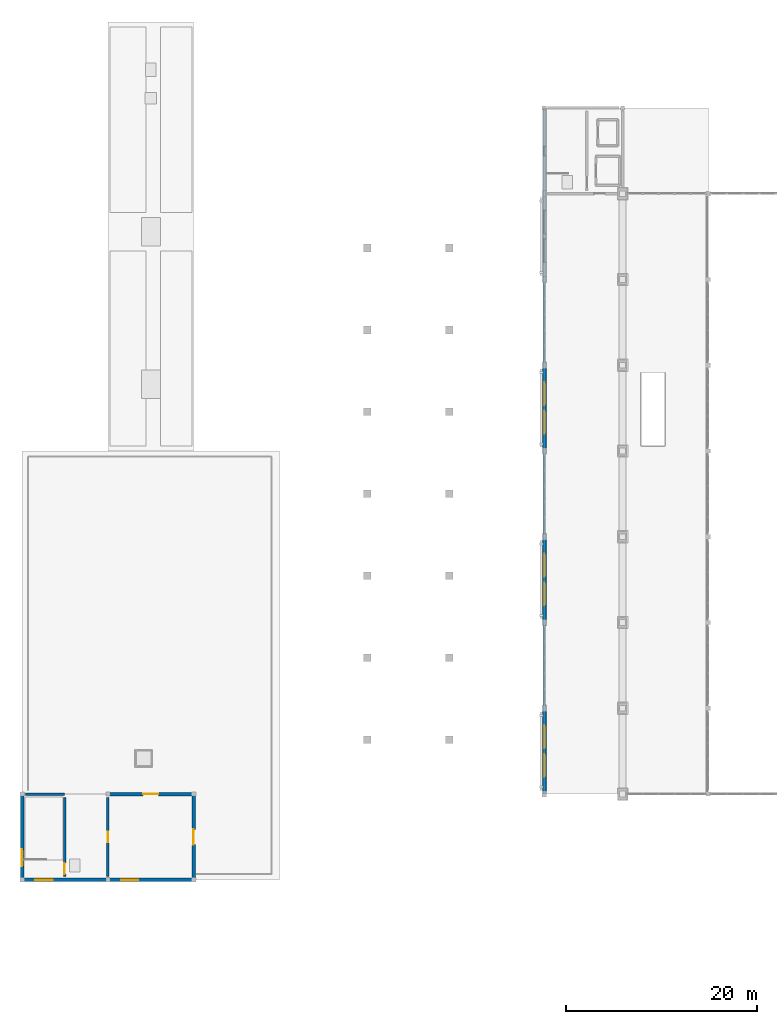
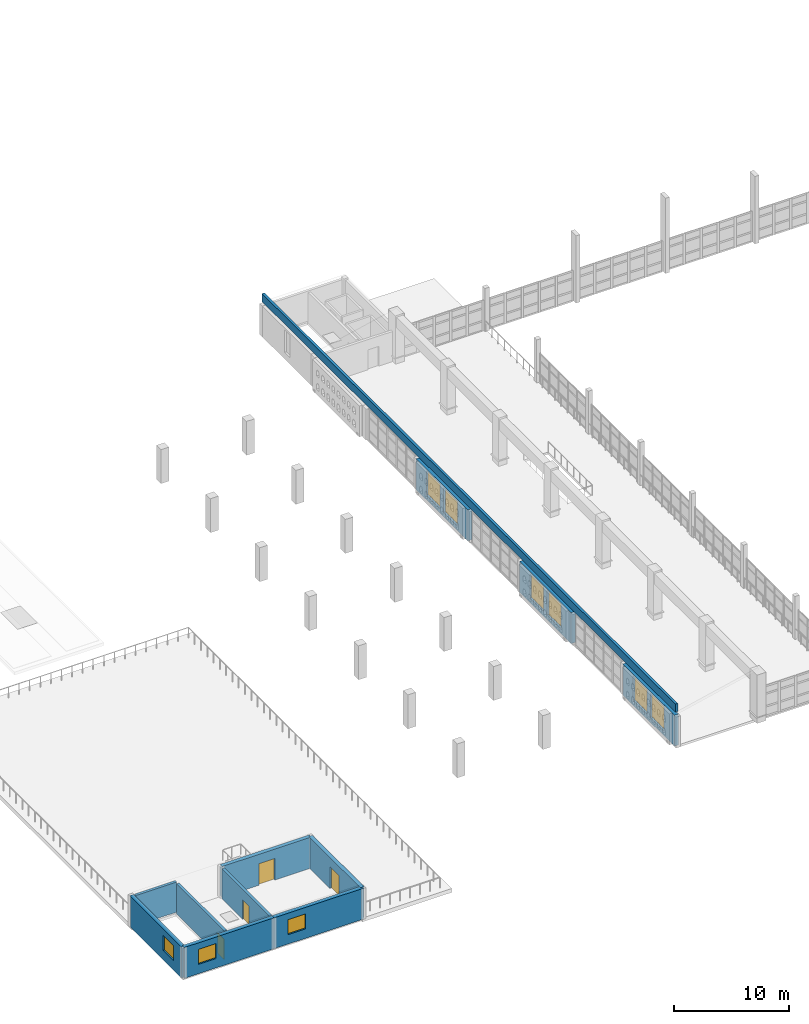
# One storey, part 65 of 80: 12 walls, 9 windows, 4 doors, 13 openings.
"""IFC4 building model written with IfcOpenShell, lengths in metres."""

from ifc_helpers import new_model, si_unit, direction, frame, frame_2d, origin, place, context, subcontext, project, spatial, rectangle, extrude, material, layer, layer_set, type_object, element, fill, save


model = new_model("IFC4")

# Units and contexts
model_context = context("Model", 3, precision=1e-05, world=origin(), true_north=direction((0.0, 1.0)))
body_context = subcontext(model_context, "Body", "Model", "MODEL_VIEW")
ifc_project = project(units=[si_unit("LENGTHUNIT", "METRE"), si_unit("AREAUNIT", "SQUARE_METRE"), si_unit("VOLUMEUNIT", "CUBIC_METRE"), si_unit("PLANEANGLEUNIT", "RADIAN"), si_unit("MASSUNIT", "GRAM", prefix="KILO")], contexts=[model_context])

# Site, building, storey
site_placement = place(None, origin())
site = spatial("IfcSite", under=ifc_project, at=site_placement, CompositionType="ELEMENT")
building_placement = place(site_placement, origin())
building = spatial("IfcBuilding", under=site, at=building_placement, Name="Ornek Quay Market", CompositionType="ELEMENT")
storey_placement = place(building_placement, frame((0.0, 0.0, 8.39990234375)))
storey = spatial("IfcBuildingStorey", under=building, at=storey_placement, Name="L02", CompositionType="ELEMENT", Elevation=8.39990234375)

# Wall, opening, door
ifc_material_1 = material(Name="Concrete C40/50", Category="concrete")
ifc_layer_1 = layer(ifc_material_1, 0.260009765625, Name="Concrete C40/50", Category="concrete")
ifc_layer_set_1 = layer_set([ifc_layer_1], Name="Concrete C40/50")
wall_type_1 = type_object("IfcWallType", Name="WL-CORE-260", PredefinedType="SHEAR", material=ifc_layer_set_1)
wall_1_placement = place(storey_placement, frame((4.449951171875, 20.35009765625, 0.0), z_axis=(0.0, 0.0, 1.0), x_axis=(0.0, 1.0, 0.0)))
wall_1 = element("IfcWall", 1, at=wall_1_placement, inside=storey, type_object=wall_type_1, Name="Interior wall W-CORE2-023", PredefinedType="SHEAR", context=body_context, shape_type="SweptSolid", body=[
    extrude(rectangle(XDim=8.2998046875, YDim=0.260009765625, at=frame_2d((4.14990234375, 0.0))), origin(), (0.0, 0.0, 1.0), 3.2001953125),
])
opening_1_placement = place(wall_1_placement, frame((0.25, 0.0, 0.0)))
opening_1 = element("IfcOpeningElement", 2, at=opening_1_placement, cuts=wall_1, Name="Opening FD-03-011", PredefinedType="OPENING", context=body_context, shape_type="SweptSolid", body=[
    extrude(rectangle(XDim=1.14990234375, YDim=2.14990234375, at=frame_2d((0.574951171875, 1.074951171875))), frame((0.0, 0.139892578125, 0.0), z_axis=(0.0, -1.0, 0.0), x_axis=(1.0, 0.0, 0.0)), (0.0, 0.0, 1.0), 0.280029296875),
])
ifc_material_2 = material(Name="Insulated fire-rated painted steel", Category="steel")
door_type_1 = type_object("IfcDoorType", Name="DR-FIRE-STAIR-1150x2150", OperationType="NOTDEFINED", PredefinedType="DOOR", material=ifc_material_2)
door_1_placement = place(opening_1_placement, origin())
door_1 = element("IfcDoor", 3, at=door_1_placement, inside=storey, type_object=door_type_1, Name="Interior door FD-03-011", OperationType="SINGLE_SWING_RIGHT", OverallHeight=2.14990234375, OverallWidth=1.14990234375, PredefinedType="DOOR", context=body_context, shape_type="SweptSolid", body=[
    extrude(rectangle(XDim=1.14990234375, YDim=2.14990234375, at=frame_2d((0.574951171875, 1.074951171875))), frame((0.0, 0.02490234375, 0.0), z_axis=(0.0, -1.0, 0.0), x_axis=(1.0, 0.0, 0.0)), (0.0, 0.0, 1.0), 0.050048828125),
])
fill(opening_1, door_1)

wall_2_placement = place(storey_placement, frame((9.0, 20.35009765625, 0.0), z_axis=(0.0, 0.0, 1.0), x_axis=(0.0, 1.0, 0.0)))
wall_2 = element("IfcWall", 4, at=wall_2_placement, inside=storey, type_object=wall_type_1, Name="Interior wall W-CORE2-024", PredefinedType="SHEAR", context=body_context, shape_type="SweptSolid", body=[
    extrude(rectangle(XDim=8.2998046875, YDim=0.260009765625, at=frame_2d((4.14990234375, 0.0))), origin(), (0.0, 0.0, 1.0), 3.2001953125),
])
opening_2_placement = place(wall_2_placement, frame((3.60009765625, 0.0, 0.0)))
opening_2 = element("IfcOpeningElement", 5, at=opening_2_placement, cuts=wall_2, Name="Opening FD-04-012", PredefinedType="OPENING", context=body_context, shape_type="SweptSolid", body=[
    extrude(rectangle(XDim=1.10009765625, YDim=2.10009765625, at=frame_2d((0.550048828125, 1.050048828125))), frame((0.0, 0.139892578125, 0.0), z_axis=(0.0, -1.0, 0.0), x_axis=(1.0, 0.0, 0.0)), (0.0, 0.0, 1.0), 0.280029296875),
])
door_type_2 = type_object("IfcDoorType", Name="DR-FIRE-LOBBY-1100x2100", OperationType="NOTDEFINED", PredefinedType="DOOR", material=ifc_material_2)
door_2_placement = place(opening_2_placement, origin())
door_2 = element("IfcDoor", 6, at=door_2_placement, inside=storey, type_object=door_type_2, Name="Interior door FD-04-012", OperationType="SINGLE_SWING_LEFT", OverallHeight=2.10009765625, OverallWidth=1.10009765625, PredefinedType="DOOR", context=body_context, shape_type="SweptSolid", body=[
    extrude(rectangle(XDim=1.10009765625, YDim=2.10009765625, at=frame_2d((0.550048828125, 1.050048828125))), frame((0.0, 0.02490234375, 0.0), z_axis=(0.0, -1.0, 0.0), x_axis=(1.0, 0.0, 0.0)), (0.0, 0.0, 1.0), 0.050048828125),
])
fill(opening_2, door_2)

# Wall
wall_3_placement = place(storey_placement, frame((0.35009765625, 29.0, 0.0), z_axis=(0.0, 0.0, 1.0), x_axis=(1.0, 0.0, 0.0)))
element("IfcWall", 7, at=wall_3_placement, inside=storey, type_object=wall_type_1, Name="Interior wall W-CORE2-025", PredefinedType="SHEAR", context=body_context, shape_type="SweptSolid", body=[
    extrude(rectangle(XDim=4.099853515625, YDim=0.260009765625, at=frame_2d((2.0498046875, 0.0))), origin(), (0.0, 0.0, 1.0), 3.2001953125),
])

# Wall, openings, windows
ifc_material_3 = material(Name="Frost-resistant facing clay brick M200 F100", Category="masonry")
ifc_layer_2 = layer(ifc_material_3, 0.419921875, Name="Frost-resistant facing clay brick M200 F100", Category="masonry")
ifc_layer_set_2 = layer_set([ifc_layer_2], Name="Frost-resistant facing clay brick M200 F100")
wall_type_2 = type_object("IfcWallType", Name="WL-EXT-HALL-420", PredefinedType="STANDARD", material=ifc_layer_set_2)
wall_4_placement = place(storey_placement, frame((54.800048828125, 29.0, 0.0), z_axis=(0.0, 0.0, 1.0), x_axis=(0.0, 1.0, 0.0)))
wall_4 = element("IfcWall", 8, at=wall_4_placement, inside=storey, type_object=wall_type_2, Name="Exterior wall EW-141", PredefinedType="STANDARD", context=body_context, shape_type="SweptSolid", body=[
    extrude(rectangle(XDim=9.0, YDim=0.419921875, at=frame_2d((4.5, 0.0))), origin(), (0.0, 0.0, 1.0), 3.2900390625),
])
opening_3_placement = place(wall_4_placement, frame((1.800048828125, 0.0, 0.510009765625)))
opening_3 = element("IfcOpeningElement", 9, at=opening_3_placement, cuts=wall_4, Name="Opening W-01-112", PredefinedType="OPENING", context=body_context, shape_type="SweptSolid", body=[
    extrude(rectangle(XDim=2.39990234375, YDim=2.60009765625, at=frame_2d((1.199951171875, 1.300048828125))), frame((0.0, 0.219970703125, 0.0), z_axis=(0.0, -1.0, 0.0), x_axis=(1.0, 0.0, 0.0)), (0.0, 0.0, 1.0), 0.43994140625),
])
opening_4_placement = place(wall_4_placement, frame((4.800048828125, 0.0, 0.510009765625)))
opening_4 = element("IfcOpeningElement", 10, at=opening_4_placement, cuts=wall_4, Name="Opening W-01-113", PredefinedType="OPENING", context=body_context, shape_type="SweptSolid", body=[
    extrude(rectangle(XDim=2.39990234375, YDim=2.60009765625, at=frame_2d((1.199951171875, 1.300048828125))), frame((0.0, 0.219970703125, 0.0), z_axis=(0.0, -1.0, 0.0), x_axis=(1.0, 0.0, 0.0)), (0.0, 0.0, 1.0), 0.43994140625),
])
ifc_material_4 = material(Name="Thermally broken bronze aluminium and triple low-e glass", Category="aluminium")
window_type_1 = type_object("IfcWindowType", Name="WN-HALL-2400x2600", PartitioningType="DOUBLE_PANEL_VERTICAL", PredefinedType="WINDOW", material=ifc_material_4)
window_1_placement = place(opening_3_placement, origin())
window_1 = element("IfcWindow", 11, at=window_1_placement, inside=storey, type_object=window_type_1, Name="Window W-01-112", OverallHeight=2.60009765625, OverallWidth=2.39990234375, PartitioningType="SINGLE_PANEL", PredefinedType="WINDOW", context=body_context, shape_type="SweptSolid", body=[
    extrude(rectangle(XDim=2.39990234375, YDim=2.60009765625, at=frame_2d((1.199951171875, 1.300048828125))), frame((0.0, 0.030029296875, 0.0), z_axis=(0.0, -1.0, 0.0), x_axis=(1.0, 0.0, 0.0)), (0.0, 0.0, 1.0), 0.06005859375),
])
fill(opening_3, window_1)
window_2_placement = place(opening_4_placement, origin())
window_2 = element("IfcWindow", 12, at=window_2_placement, inside=storey, type_object=window_type_1, Name="Window W-01-113", OverallHeight=2.60009765625, OverallWidth=2.39990234375, PartitioningType="SINGLE_PANEL", PredefinedType="WINDOW", context=body_context, shape_type="SweptSolid", body=[
    extrude(rectangle(XDim=2.39990234375, YDim=2.60009765625, at=frame_2d((1.199951171875, 1.300048828125))), frame((0.0, 0.030029296875, 0.0), z_axis=(0.0, -1.0, 0.0), x_axis=(1.0, 0.0, 0.0)), (0.0, 0.0, 1.0), 0.06005859375),
])
fill(opening_4, window_2)

wall_5_placement = place(storey_placement, frame((54.800048828125, 47.0, 0.0), z_axis=(0.0, 0.0, 1.0), x_axis=(0.0, 1.0, 0.0)))
wall_5 = element("IfcWall", 13, at=wall_5_placement, inside=storey, type_object=wall_type_2, Name="Exterior wall EW-142", PredefinedType="STANDARD", context=body_context, shape_type="SweptSolid", body=[
    extrude(rectangle(XDim=9.0, YDim=0.419921875, at=frame_2d((4.5, 0.0))), origin(), (0.0, 0.0, 1.0), 3.2900390625),
])
opening_5_placement = place(wall_5_placement, frame((1.800048828125, 0.0, 0.510009765625)))
opening_5 = element("IfcOpeningElement", 14, at=opening_5_placement, cuts=wall_5, Name="Opening W-01-114", PredefinedType="OPENING", context=body_context, shape_type="SweptSolid", body=[
    extrude(rectangle(XDim=2.39990234375, YDim=2.60009765625, at=frame_2d((1.199951171875, 1.300048828125))), frame((0.0, 0.219970703125, 0.0), z_axis=(0.0, -1.0, 0.0), x_axis=(1.0, 0.0, 0.0)), (0.0, 0.0, 1.0), 0.43994140625),
])
opening_6_placement = place(wall_5_placement, frame((4.800048828125, 0.0, 0.510009765625)))
opening_6 = element("IfcOpeningElement", 15, at=opening_6_placement, cuts=wall_5, Name="Opening W-01-115", PredefinedType="OPENING", context=body_context, shape_type="SweptSolid", body=[
    extrude(rectangle(XDim=2.39990234375, YDim=2.60009765625, at=frame_2d((1.199951171875, 1.300048828125))), frame((0.0, 0.219970703125, 0.0), z_axis=(0.0, -1.0, 0.0), x_axis=(1.0, 0.0, 0.0)), (0.0, 0.0, 1.0), 0.43994140625),
])
window_3_placement = place(opening_5_placement, origin())
window_3 = element("IfcWindow", 16, at=window_3_placement, inside=storey, type_object=window_type_1, Name="Window W-01-114", OverallHeight=2.60009765625, OverallWidth=2.39990234375, PartitioningType="SINGLE_PANEL", PredefinedType="WINDOW", context=body_context, shape_type="SweptSolid", body=[
    extrude(rectangle(XDim=2.39990234375, YDim=2.60009765625, at=frame_2d((1.199951171875, 1.300048828125))), frame((0.0, 0.030029296875, 0.0), z_axis=(0.0, -1.0, 0.0), x_axis=(1.0, 0.0, 0.0)), (0.0, 0.0, 1.0), 0.06005859375),
])
fill(opening_5, window_3)
window_4_placement = place(opening_6_placement, origin())
window_4 = element("IfcWindow", 17, at=window_4_placement, inside=storey, type_object=window_type_1, Name="Window W-01-115", OverallHeight=2.60009765625, OverallWidth=2.39990234375, PartitioningType="SINGLE_PANEL", PredefinedType="WINDOW", context=body_context, shape_type="SweptSolid", body=[
    extrude(rectangle(XDim=2.39990234375, YDim=2.60009765625, at=frame_2d((1.199951171875, 1.300048828125))), frame((0.0, 0.030029296875, 0.0), z_axis=(0.0, -1.0, 0.0), x_axis=(1.0, 0.0, 0.0)), (0.0, 0.0, 1.0), 0.06005859375),
])
fill(opening_6, window_4)

wall_6_placement = place(storey_placement, frame((54.800048828125, 65.0, 0.0), z_axis=(0.0, 0.0, 1.0), x_axis=(0.0, 1.0, 0.0)))
wall_6 = element("IfcWall", 18, at=wall_6_placement, inside=storey, type_object=wall_type_2, Name="Exterior wall EW-143", PredefinedType="STANDARD", context=body_context, shape_type="SweptSolid", body=[
    extrude(rectangle(XDim=9.0, YDim=0.419921875, at=frame_2d((4.5, 0.0))), origin(), (0.0, 0.0, 1.0), 3.2900390625),
])
opening_7_placement = place(wall_6_placement, frame((1.800048828125, 0.0, 0.510009765625)))
opening_7 = element("IfcOpeningElement", 19, at=opening_7_placement, cuts=wall_6, Name="Opening W-01-116", PredefinedType="OPENING", context=body_context, shape_type="SweptSolid", body=[
    extrude(rectangle(XDim=2.39990234375, YDim=2.60009765625, at=frame_2d((1.199951171875, 1.300048828125))), frame((0.0, 0.219970703125, 0.0), z_axis=(0.0, -1.0, 0.0), x_axis=(1.0, 0.0, 0.0)), (0.0, 0.0, 1.0), 0.43994140625),
])
opening_8_placement = place(wall_6_placement, frame((4.800048828125, 0.0, 0.510009765625)))
opening_8 = element("IfcOpeningElement", 20, at=opening_8_placement, cuts=wall_6, Name="Opening W-01-117", PredefinedType="OPENING", context=body_context, shape_type="SweptSolid", body=[
    extrude(rectangle(XDim=2.39990234375, YDim=2.60009765625, at=frame_2d((1.199951171875, 1.300048828125))), frame((0.0, 0.219970703125, 0.0), z_axis=(0.0, -1.0, 0.0), x_axis=(1.0, 0.0, 0.0)), (0.0, 0.0, 1.0), 0.43994140625),
])
window_5_placement = place(opening_7_placement, origin())
window_5 = element("IfcWindow", 21, at=window_5_placement, inside=storey, type_object=window_type_1, Name="Window W-01-116", OverallHeight=2.60009765625, OverallWidth=2.39990234375, PartitioningType="SINGLE_PANEL", PredefinedType="WINDOW", context=body_context, shape_type="SweptSolid", body=[
    extrude(rectangle(XDim=2.39990234375, YDim=2.60009765625, at=frame_2d((1.199951171875, 1.300048828125))), frame((0.0, 0.030029296875, 0.0), z_axis=(0.0, -1.0, 0.0), x_axis=(1.0, 0.0, 0.0)), (0.0, 0.0, 1.0), 0.06005859375),
])
fill(opening_7, window_5)
window_6_placement = place(opening_8_placement, origin())
window_6 = element("IfcWindow", 22, at=window_6_placement, inside=storey, type_object=window_type_1, Name="Window W-01-117", OverallHeight=2.60009765625, OverallWidth=2.39990234375, PartitioningType="SINGLE_PANEL", PredefinedType="WINDOW", context=body_context, shape_type="SweptSolid", body=[
    extrude(rectangle(XDim=2.39990234375, YDim=2.60009765625, at=frame_2d((1.199951171875, 1.300048828125))), frame((0.0, 0.030029296875, 0.0), z_axis=(0.0, -1.0, 0.0), x_axis=(1.0, 0.0, 0.0)), (0.0, 0.0, 1.0), 0.06005859375),
])
fill(opening_8, window_6)

# Wall, opening, window
ifc_layer_3 = layer(ifc_material_3, 0.3798828125, Name="Frost-resistant facing clay brick M200 F100", Category="masonry")
ifc_layer_set_3 = layer_set([ifc_layer_3], Name="Frost-resistant facing clay brick M200 F100")
wall_type_3 = type_object("IfcWallType", Name="WL-EXT-WING-380", PredefinedType="STANDARD", material=ifc_layer_set_3)
wall_7_placement = place(storey_placement, frame((0.0, 20.0, 0.0), z_axis=(0.0, 0.0, 1.0), x_axis=(1.0, 0.0, 0.0)))
wall_7 = element("IfcWall", 23, at=wall_7_placement, inside=storey, type_object=wall_type_3, Name="Exterior wall EW-081", PredefinedType="STANDARD", context=body_context, shape_type="SweptSolid", body=[
    extrude(rectangle(XDim=9.0, YDim=0.3798828125, at=frame_2d((4.5, 0.0))), origin(), (0.0, 0.0, 1.0), 3.2900390625),
])
opening_9_placement = place(wall_7_placement, frame((1.39990234375, 0.0, 1.0)))
opening_9 = element("IfcOpeningElement", 24, at=opening_9_placement, cuts=wall_7, Name="Opening W-15-063", PredefinedType="OPENING", context=body_context, shape_type="SweptSolid", body=[
    extrude(rectangle(XDim=1.800048828125, YDim=1.60009765625, at=frame_2d((0.89990234375, 0.800048828125))), frame((0.0, 0.199951171875, 0.0), z_axis=(0.0, -1.0, 0.0), x_axis=(1.0, 0.0, 0.0)), (0.0, 0.0, 1.0), 0.39990234375),
])
window_type_2 = type_object("IfcWindowType", Name="WN-OFF-1800x1600", PartitioningType="DOUBLE_PANEL_VERTICAL", PredefinedType="WINDOW", material=ifc_material_4)
window_7_placement = place(opening_9_placement, origin())
window_7 = element("IfcWindow", 25, at=window_7_placement, inside=storey, type_object=window_type_2, Name="Window W-15-063", OverallHeight=1.60009765625, OverallWidth=1.800048828125, PartitioningType="SINGLE_PANEL", PredefinedType="WINDOW", context=body_context, shape_type="SweptSolid", body=[
    extrude(rectangle(XDim=1.800048828125, YDim=1.60009765625, at=frame_2d((0.89990234375, 0.800048828125))), frame((0.0, 0.030029296875, 0.0), z_axis=(0.0, -1.0, 0.0), x_axis=(1.0, 0.0, 0.0)), (0.0, 0.0, 1.0), 0.06005859375),
])
fill(opening_9, window_7)

wall_8_placement = place(storey_placement, frame((9.0, 20.0, 0.0), z_axis=(0.0, 0.0, 1.0), x_axis=(1.0, 0.0, 0.0)))
wall_8 = element("IfcWall", 26, at=wall_8_placement, inside=storey, type_object=wall_type_3, Name="Exterior wall EW-082", PredefinedType="STANDARD", context=body_context, shape_type="SweptSolid", body=[
    extrude(rectangle(XDim=9.0, YDim=0.3798828125, at=frame_2d((4.5, 0.0))), origin(), (0.0, 0.0, 1.0), 3.2900390625),
])
opening_10_placement = place(wall_8_placement, frame((1.39990234375, 0.0, 1.0)))
opening_10 = element("IfcOpeningElement", 27, at=opening_10_placement, cuts=wall_8, Name="Opening W-15-064", PredefinedType="OPENING", context=body_context, shape_type="SweptSolid", body=[
    extrude(rectangle(XDim=1.800048828125, YDim=1.60009765625, at=frame_2d((0.89990234375, 0.800048828125))), frame((0.0, 0.199951171875, 0.0), z_axis=(0.0, -1.0, 0.0), x_axis=(1.0, 0.0, 0.0)), (0.0, 0.0, 1.0), 0.39990234375),
])
window_8_placement = place(opening_10_placement, origin())
window_8 = element("IfcWindow", 28, at=window_8_placement, inside=storey, type_object=window_type_2, Name="Window W-15-064", OverallHeight=1.60009765625, OverallWidth=1.800048828125, PartitioningType="SINGLE_PANEL", PredefinedType="WINDOW", context=body_context, shape_type="SweptSolid", body=[
    extrude(rectangle(XDim=1.800048828125, YDim=1.60009765625, at=frame_2d((0.89990234375, 0.800048828125))), frame((0.0, 0.030029296875, 0.0), z_axis=(0.0, -1.0, 0.0), x_axis=(1.0, 0.0, 0.0)), (0.0, 0.0, 1.0), 0.06005859375),
])
fill(opening_10, window_8)

wall_9_placement = place(storey_placement, frame((0.0, 20.0, 0.0), z_axis=(0.0, 0.0, 1.0), x_axis=(0.0, 1.0, 0.0)))
wall_9 = element("IfcWall", 29, at=wall_9_placement, inside=storey, type_object=wall_type_3, Name="Exterior wall EW-083", PredefinedType="STANDARD", context=body_context, shape_type="SweptSolid", body=[
    extrude(rectangle(XDim=9.0, YDim=0.3798828125, at=frame_2d((4.5, 0.0))), origin(), (0.0, 0.0, 1.0), 3.2900390625),
])
opening_11_placement = place(wall_9_placement, frame((1.39990234375, 0.0, 1.0)))
opening_11 = element("IfcOpeningElement", 30, at=opening_11_placement, cuts=wall_9, Name="Opening W-15-065", PredefinedType="OPENING", context=body_context, shape_type="SweptSolid", body=[
    extrude(rectangle(XDim=1.800048828125, YDim=1.60009765625, at=frame_2d((0.89990234375, 0.800048828125))), frame((0.0, 0.199951171875, 0.0), z_axis=(0.0, -1.0, 0.0), x_axis=(1.0, 0.0, 0.0)), (0.0, 0.0, 1.0), 0.39990234375),
])
window_9_placement = place(opening_11_placement, origin())
window_9 = element("IfcWindow", 31, at=window_9_placement, inside=storey, type_object=window_type_2, Name="Window W-15-065", OverallHeight=1.60009765625, OverallWidth=1.800048828125, PartitioningType="SINGLE_PANEL", PredefinedType="WINDOW", context=body_context, shape_type="SweptSolid", body=[
    extrude(rectangle(XDim=1.800048828125, YDim=1.60009765625, at=frame_2d((0.89990234375, 0.800048828125))), frame((0.0, 0.030029296875, 0.0), z_axis=(0.0, -1.0, 0.0), x_axis=(1.0, 0.0, 0.0)), (0.0, 0.0, 1.0), 0.06005859375),
])
fill(opening_11, window_9)

# Wall, opening, door
wall_10_placement = place(storey_placement, frame((18.0, 20.0, 0.0), z_axis=(0.0, 0.0, 1.0), x_axis=(0.0, 1.0, 0.0)))
wall_10 = element("IfcWall", 32, at=wall_10_placement, inside=storey, type_object=wall_type_3, Name="Exterior wall EW-084", PredefinedType="STANDARD", context=body_context, shape_type="SweptSolid", body=[
    extrude(rectangle(XDim=9.0, YDim=0.3798828125, at=frame_2d((4.5, 0.0))), origin(), (0.0, 0.0, 1.0), 3.2900390625),
])
opening_12_placement = place(wall_10_placement, frame((3.699951171875, 0.0, 0.0)))
opening_12 = element("IfcOpeningElement", 33, at=opening_12_placement, cuts=wall_10, Name="Opening ED-04-009", PredefinedType="OPENING", context=body_context, shape_type="SweptSolid", body=[
    extrude(rectangle(XDim=1.60009765625, YDim=2.300048828125, at=frame_2d((0.800048828125, 1.14990234375))), frame((0.0, 0.199951171875, 0.0), z_axis=(0.0, -1.0, 0.0), x_axis=(1.0, 0.0, 0.0)), (0.0, 0.0, 1.0), 0.39990234375),
])
ifc_material_5 = material(Name="Anodised bronze aluminium and triple glass", Category="aluminium")
door_type_3 = type_object("IfcDoorType", Name="DR-EXT-TER-1600x2300", OperationType="DOUBLE_DOOR_SINGLE_SWING", PredefinedType="DOOR", material=ifc_material_5)
door_3_placement = place(opening_12_placement, origin())
door_3 = element("IfcDoor", 34, at=door_3_placement, inside=storey, type_object=door_type_3, Name="Exterior door ED-04-009", OperationType="DOUBLE_DOOR_SINGLE_SWING", OverallHeight=2.300048828125, OverallWidth=1.60009765625, PredefinedType="DOOR", context=body_context, shape_type="SweptSolid", body=[
    extrude(rectangle(XDim=1.60009765625, YDim=2.300048828125, at=frame_2d((0.800048828125, 1.14990234375))), frame((0.0, 0.02490234375, 0.0), z_axis=(0.0, -1.0, 0.0), x_axis=(1.0, 0.0, 0.0)), (0.0, 0.0, 1.0), 0.050048828125),
])
fill(opening_12, door_3)

wall_11_placement = place(storey_placement, frame((9.0, 29.0, 0.0), z_axis=(0.0, 0.0, 1.0), x_axis=(1.0, 0.0, 0.0)))
wall_11 = element("IfcWall", 35, at=wall_11_placement, inside=storey, type_object=wall_type_3, Name="Exterior wall EW-085", PredefinedType="STANDARD", context=body_context, shape_type="SweptSolid", body=[
    extrude(rectangle(XDim=9.0, YDim=0.3798828125, at=frame_2d((4.5, 0.0))), origin(), (0.0, 0.0, 1.0), 3.2900390625),
])
opening_13_placement = place(wall_11_placement, frame((3.699951171875, 0.0, 0.0)))
opening_13 = element("IfcOpeningElement", 36, at=opening_13_placement, cuts=wall_11, Name="Opening ED-04-010", PredefinedType="OPENING", context=body_context, shape_type="SweptSolid", body=[
    extrude(rectangle(XDim=1.60009765625, YDim=2.300048828125, at=frame_2d((0.800048828125, 1.14990234375))), frame((0.0, 0.199951171875, 0.0), z_axis=(0.0, -1.0, 0.0), x_axis=(1.0, 0.0, 0.0)), (0.0, 0.0, 1.0), 0.39990234375),
])
door_4_placement = place(opening_13_placement, origin())
door_4 = element("IfcDoor", 37, at=door_4_placement, inside=storey, type_object=door_type_3, Name="Exterior door ED-04-010", OperationType="DOUBLE_DOOR_SINGLE_SWING", OverallHeight=2.300048828125, OverallWidth=1.60009765625, PredefinedType="DOOR", context=body_context, shape_type="SweptSolid", body=[
    extrude(rectangle(XDim=1.60009765625, YDim=2.300048828125, at=frame_2d((0.800048828125, 1.14990234375))), frame((0.0, 0.02490234375, 0.0), z_axis=(0.0, -1.0, 0.0), x_axis=(1.0, 0.0, 0.0)), (0.0, 0.0, 1.0), 0.050048828125),
])
fill(opening_13, door_4)

# Wall
ifc_layer_4 = layer(ifc_material_3, 0.25, Name="Frost-resistant facing clay brick M200 F100", Category="masonry")
ifc_layer_set_4 = layer_set([ifc_layer_4], Name="Frost-resistant facing clay brick M200 F100")
wall_type_4 = type_object("IfcWallType", Name="WL-PAR-250", PredefinedType="PARAPET", material=ifc_layer_set_4)
wall_12_placement = place(storey_placement, frame((54.800048828125, 29.0, 3.60009765625), z_axis=(0.0, 0.0, 1.0), x_axis=(0.0, 1.0, 0.0)))
element("IfcWall", 38, at=wall_12_placement, inside=storey, type_object=wall_type_4, Name="Roof parapet PR-04", PredefinedType="PARAPET", context=body_context, shape_type="SweptSolid", body=[
    extrude(rectangle(XDim=72.0, YDim=0.25, at=frame_2d((36.0, 0.0))), origin(), (0.0, 0.0, 1.0), 0.85009765625),
])

save(model, "model.ifc")
